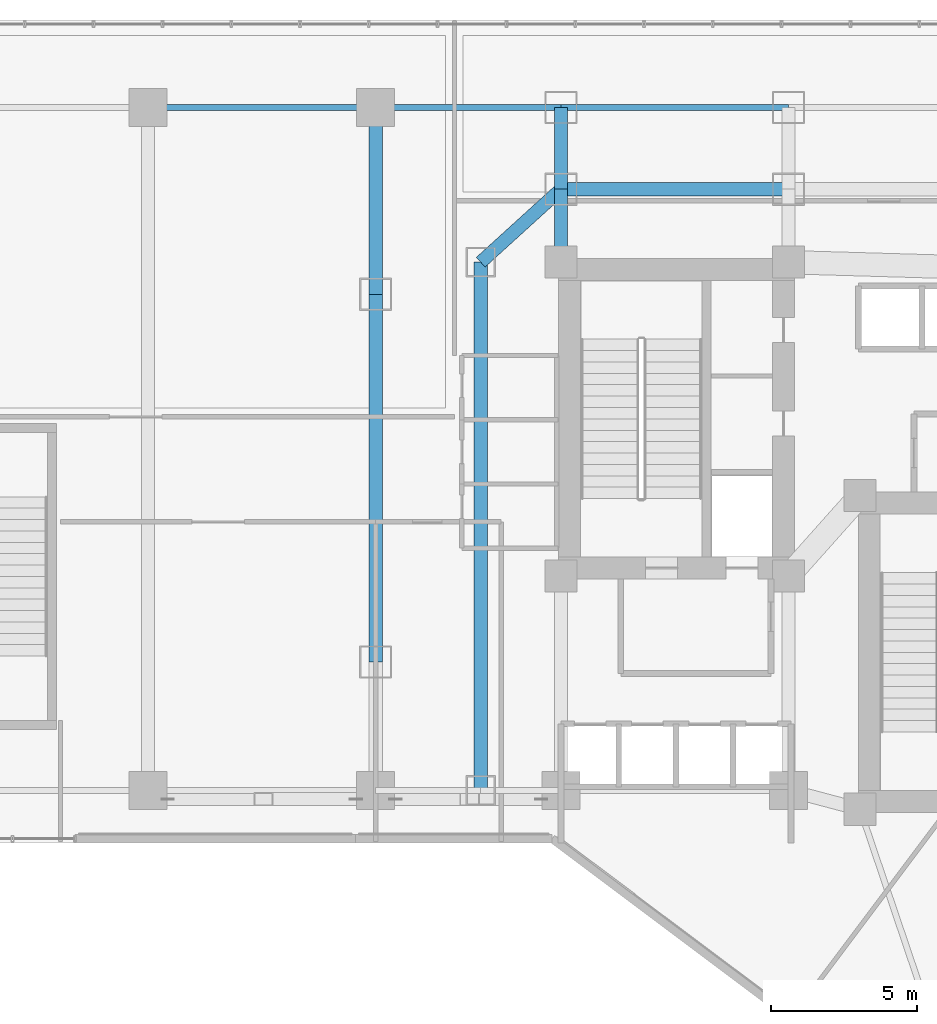
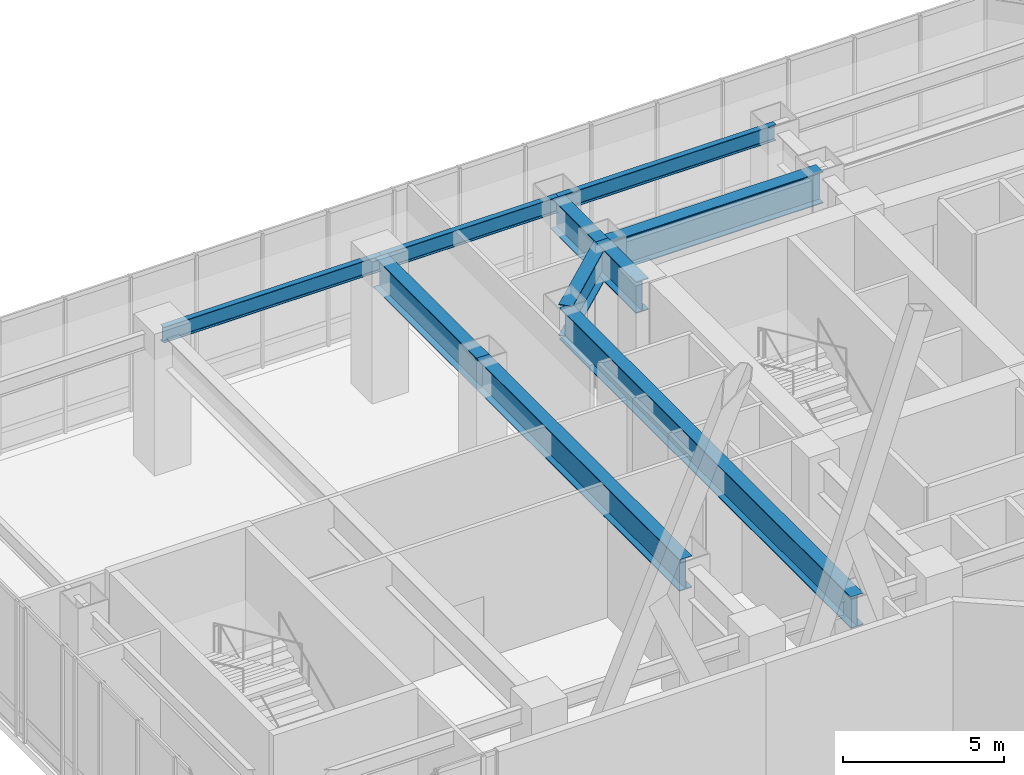
# One storey, part 15 of 35: 10 beams.
"""IFC4 building model written with IfcOpenShell, lengths in metres."""

import ifcopenshell
import ifcopenshell.guid

model = None  # the IFC model being written
_history = None  # IfcOwnerHistory: only IFC2X3 demands one
_inside = {}  # id of a spatial element -> (the spatial element, [elements in it])
_under = {}  # id of a project, library or spatial element -> (it, [spatial elements below it])
_declared = {}  # id of a project -> (the project, [libraries it declares])
_typed = {}  # id of a type object -> (the type object, [elements of that type])
_made_of = {}  # id of a material, layer set ... -> (it, [elements and type objects made of it])


def new_model(schema):
    """Start an empty IFC model of exactly this schema.

    Asked for "IFC4X3", IfcOpenShell would pick the latest addendum, in which some entities
    have other attributes; the version numbers below select the first issue.
    IFC2X3 requires an IfcOwnerHistory on every rooted entity: one is made here for all.
    """
    global model, _history
    if schema == "IFC4X3":
        model = ifcopenshell.file(schema_version=(4, 3, 0, 0))
    else:
        model = ifcopenshell.file(schema=schema)
    _inside.clear()
    _under.clear()
    _declared.clear()
    _typed.clear()
    _made_of.clear()
    _history = None
    if model.schema == "IFC2X3":
        org = make("IfcOrganization", Name="unknown")
        user = make(
            "IfcPersonAndOrganization",
            ThePerson=make("IfcPerson", FamilyName="unknown"),
            TheOrganization=org,
        )
        app = make(
            "IfcApplication",
            ApplicationDeveloper=org,
            Version="unknown",
            ApplicationFullName="unknown",
            ApplicationIdentifier="unknown",
        )
        _history = make(
            "IfcOwnerHistory",
            OwningUser=user,
            OwningApplication=app,
            ChangeAction="ADDED",
            CreationDate=0,
        )
    return model


def make(cls, **values):
    """One entity of the class cls with the attributes given. An attribute that is None is left unset."""
    return model.create_entity(
        cls, **{name: value for name, value in values.items() if value is not None}
    )


def rooted(cls, **values):
    """An entity with a GlobalId (a new one), such as an element, a storey or a relation."""
    return make(cls, GlobalId=ifcopenshell.guid.new(), OwnerHistory=_history, **values)


def si_unit(unit_type, name, prefix=None):
    """IfcSIUnit, for example si_unit("LENGTHUNIT", "METRE", prefix="MILLI")."""
    return make("IfcSIUnit", UnitType=unit_type, Prefix=prefix, Name=name)


def assignment(units):
    """IfcUnitAssignment: the units of a project."""
    return None if units is None else make("IfcUnitAssignment", Units=units)


def point(xyz):
    """IfcCartesianPoint."""
    return None if xyz is None else make("IfcCartesianPoint", Coordinates=xyz)


def direction(xyz):
    """IfcDirection."""
    return None if xyz is None else make("IfcDirection", DirectionRatios=xyz)


def frame(location, z_axis=None, x_axis=None):
    """IfcAxis2Placement3D, a coordinate frame: its origin and axes. An axis left out is left unset."""
    return make(
        "IfcAxis2Placement3D",
        Location=point(location),
        Axis=direction(z_axis),
        RefDirection=direction(x_axis),
    )


def frame_2d(location, x_axis=None):
    """IfcAxis2Placement2D, a coordinate frame in the plane: its origin and x axis."""
    return make(
        "IfcAxis2Placement2D", Location=point(location), RefDirection=direction(x_axis)
    )


def origin():
    """The frame at (0, 0, 0) with its axes left unset."""
    return frame((0.0, 0.0, 0.0))


def origin_2d():
    """The frame at (0, 0) in the plane with its x axis left unset."""
    return frame_2d((0.0, 0.0))


def place(relative_to, where):
    """IfcLocalPlacement: puts the frame where relative to a parent placement (None: the world)."""
    return make(
        "IfcLocalPlacement", PlacementRelTo=relative_to, RelativePlacement=where
    )


def context(
    kind, dimensions, precision=None, world=None, true_north=None, identifier=None
):
    """IfcGeometricRepresentationContext, for example the 3D "Model" context."""
    return make(
        "IfcGeometricRepresentationContext",
        ContextIdentifier=identifier,
        ContextType=kind,
        CoordinateSpaceDimension=dimensions,
        Precision=precision,
        WorldCoordinateSystem=world,
        TrueNorth=true_north,
    )


def subcontext(parent, identifier, kind, view, scale=None):
    """IfcGeometricRepresentationSubContext, for example "Body" below "Model"."""
    return make(
        "IfcGeometricRepresentationSubContext",
        ContextIdentifier=identifier,
        ContextType=kind,
        ParentContext=parent,
        TargetScale=scale,
        TargetView=view,
    )


def project(units=None, contexts=None):
    """IfcProject with its units and contexts."""
    return rooted(
        "IfcProject",
        Name="project",
        RepresentationContexts=contexts,
        UnitsInContext=assignment(units),
    )


def spatial(cls, under=None, at=None, **own):
    """A site, building, storey or space (cls), placed at a placement, below another one or the project."""
    s = rooted(cls, ObjectPlacement=at, **own)
    if under is not None:
        _under.setdefault(under.id(), (under, []))[1].append(s)
    return s


def profile(cls, at=None, kind="AREA", **sizes):
    """A parametric profile (cls). Its sizes go by their IFC names, for example OverallWidth=200.0."""
    return make(cls, ProfileType=kind, Position=at, **sizes)


def i_section(**sizes):
    """IfcIShapeProfileDef."""
    return profile("IfcIShapeProfileDef", **sizes)


def extrude(swept, where, along, depth):
    """IfcExtrudedAreaSolid: the profile swept, set in the frame where, extruded along a direction by depth."""
    return make(
        "IfcExtrudedAreaSolid",
        SweptArea=swept,
        Position=where,
        ExtrudedDirection=direction(along),
        Depth=depth,
    )


def shape(context_of_items, identifier, shape_type, items):
    """IfcShapeRepresentation: the items that make up one representation, for example the "Body"."""
    return make(
        "IfcShapeRepresentation",
        ContextOfItems=context_of_items,
        RepresentationIdentifier=identifier,
        RepresentationType=shape_type,
        Items=items,
    )


def material(Name=None, Category=None):
    """IfcMaterial."""
    return make("IfcMaterial", Name=Name, Category=Category)


def material_profile(
    of_material, cross_section, Name=None, Category=None, Priority=None
):
    """IfcMaterialProfile: a cross section and its material."""
    return make(
        "IfcMaterialProfile",
        Name=Name,
        Material=of_material,
        Profile=cross_section,
        Priority=Priority,
        Category=Category,
    )


def profile_set(profiles, Name=None, composite=None):
    """IfcMaterialProfileSet."""
    return make(
        "IfcMaterialProfileSet",
        Name=Name,
        MaterialProfiles=profiles,
        CompositeProfile=composite,
    )


def made_of(thing, what):
    """Note that an element or type object is made of a material, layer set ...; save() writes the relation."""
    if what is not None:
        _made_of.setdefault(what.id(), (what, []))[1].append(thing)
    return thing


def type_object(cls, material=None, **own):
    """A type object (cls), such as IfcWallType, which elements share."""
    return made_of(rooted(cls, **own), material)


def element(
    cls,
    number,
    at=None,
    inside=None,
    cuts=None,
    type_object=None,
    material=None,
    context=None,
    identifier="Body",
    shape_type=None,
    held_by="IfcProductDefinitionShape",
    body=None,
    shapes=None,
    **own,
):
    """One element of the class cls, such as IfcWall. Its Tag is "e" and its number.

    at: its placement. inside: the storey or other place that contains it. cuts: it is an
    opening in that element (IfcRelVoidsElement). A single representation is given by context,
    identifier, shape_type and body (its items); several are given by shapes. held_by: the class
    of the entity that holds the representations. save() writes the other relations.
    """
    e = rooted(cls, Tag="e%d" % number, ObjectPlacement=at, **own)
    if body is not None:
        shapes = [shape(context, identifier, shape_type, body)]
    if shapes is not None:
        e.Representation = make(held_by, Representations=shapes)
    if inside is not None:
        _inside.setdefault(inside.id(), (inside, []))[1].append(e)
    if cuts is not None:
        rooted(
            "IfcRelVoidsElement", RelatingBuildingElement=cuts, RelatedOpeningElement=e
        )
    if type_object is not None:
        _typed.setdefault(type_object.id(), (type_object, []))[1].append(e)
    return made_of(e, material)


def aggregate(whole, parts):
    """IfcRelAggregates: a whole, such as a stair, and the parts it consists of."""
    return rooted("IfcRelAggregates", RelatingObject=whole, RelatedObjects=parts)


def save(model, path):
    """Write the relations noted so far, then the file.

    IfcRelAggregates (storeys below a building ...), IfcRelContainedInSpatialStructure (elements
    in a storey), IfcRelDefinesByType, IfcRelAssociatesMaterial and IfcRelDeclares: one each for
    every whole, place, type object, material and project.
    """
    for whole, parts in _under.values():
        aggregate(whole, parts)
    for where, things in _inside.values():
        rooted(
            "IfcRelContainedInSpatialStructure",
            RelatedElements=things,
            RelatingStructure=where,
        )
    for kind, things in _typed.values():
        rooted("IfcRelDefinesByType", RelatedObjects=things, RelatingType=kind)
    for what, things in _made_of.values():
        rooted("IfcRelAssociatesMaterial", RelatedObjects=things, RelatingMaterial=what)
    for by, libraries in _declared.values():
        rooted("IfcRelDeclares", RelatingContext=by, RelatedDefinitions=libraries)
    model.write(path)


model = new_model("IFC4")

# Units and contexts
model_context = context("Model", 3, precision=1e-05, world=origin(), true_north=direction((0.0, 1.0)))
body_context = subcontext(model_context, "Body", "Model", "MODEL_VIEW")
ifc_project = project(units=[si_unit("LENGTHUNIT", "METRE"), si_unit("AREAUNIT", "SQUARE_METRE"), si_unit("VOLUMEUNIT", "CUBIC_METRE"), si_unit("PLANEANGLEUNIT", "RADIAN"), si_unit("MASSUNIT", "GRAM", prefix="KILO")], contexts=[model_context])

# Site, building, storey
site_placement = place(None, origin())
site = spatial("IfcSite", under=ifc_project, at=site_placement, CompositionType="ELEMENT")
building_placement = place(site_placement, origin())
building = spatial("IfcBuilding", under=site, at=building_placement, Name="Hatsunagi Terrace Concourse", CompositionType="ELEMENT")
storey_placement = place(building_placement, frame((0.0, 0.0, 5.39990234375)))
storey = spatial("IfcBuildingStorey", under=building, at=storey_placement, Name="L02", CompositionType="ELEMENT", Elevation=5.39990234375)

# Beams
ifc_material_1 = material(Name="Steel SN490B", Category="steel")
ifc_material_profile_1 = material_profile(ifc_material_1, i_section(OverallWidth=0.199951171875, OverallDepth=0.60009765625, WebThickness=0.010986328125, FlangeThickness=0.01708984375, FilletRadius=0.01806640625, at=origin_2d()), Name="H-600x200x11x17")
ifc_profile_set_1 = profile_set([ifc_material_profile_1], Name="Steel SN490B")
beam_type_1 = type_object("IfcBeamType", Name="PerimeterSpandrel_H_600x200", PredefinedType="SPANDREL", material=ifc_profile_set_1)
beam_1_placement = place(storey_placement, frame((11.39990234375, 48.60009765625, 4.800048828125), z_axis=(1.0, 0.0, 0.0), x_axis=(0.0, 1.0, 0.0)))
element("IfcBeam", 1, at=beam_1_placement, inside=storey, type_object=beam_type_1, Name="Beam SP-01 BM-L02-WN-11", PredefinedType="SPANDREL", context=body_context, shape_type="SweptSolid", body=[
    extrude(i_section(OverallWidth=0.199951171875, OverallDepth=0.60009765625, WebThickness=0.010986328125, FlangeThickness=0.01708984375, FilletRadius=0.01806640625, at=origin_2d()), origin(), (0.0, 0.0, 1.0), 7.800048828125),
])
beam_2_placement = place(storey_placement, frame((19.199951171875, 48.60009765625, 4.800048828125), z_axis=(1.0, 0.0, 0.0), x_axis=(0.0, 1.0, 0.0)))
element("IfcBeam", 2, at=beam_2_placement, inside=storey, type_object=beam_type_1, Name="Beam SP-01 BM-L02-WN-19", PredefinedType="SPANDREL", context=body_context, shape_type="SweptSolid", body=[
    extrude(i_section(OverallWidth=0.199951171875, OverallDepth=0.60009765625, WebThickness=0.010986328125, FlangeThickness=0.01708984375, FilletRadius=0.01806640625, at=origin_2d()), origin(), (0.0, 0.0, 1.0), 6.35009765625),
])
beam_3_placement = place(storey_placement, frame((25.550048828125, 48.60009765625, 4.800048828125), z_axis=(1.0, 0.0, 0.0), x_axis=(0.0, 1.0, 0.0)))
element("IfcBeam", 3, at=beam_3_placement, inside=storey, type_object=beam_type_1, Name="Beam SP-01 BM-L02-WN-25", PredefinedType="SPANDREL", context=body_context, shape_type="SweptSolid", body=[
    extrude(i_section(OverallWidth=0.199951171875, OverallDepth=0.60009765625, WebThickness=0.010986328125, FlangeThickness=0.01708984375, FilletRadius=0.01806640625, at=origin_2d()), origin(), (0.0, 0.0, 1.0), 7.800048828125),
])
ifc_material_2 = material(Name="Steel SN490B", Category="steel")
ifc_material_profile_2 = material_profile(ifc_material_2, i_section(OverallWidth=0.449951171875, OverallDepth=1.199951171875, WebThickness=0.02490234375, FlangeThickness=0.035888671875, at=origin_2d()), Name="BH-1200x450x25x36")
ifc_profile_set_2 = profile_set([ifc_material_profile_2], Name="Steel SN490B")
beam_type_2 = type_object("IfcBeamType", Name="PodiumHallGirder_BH_1200x450x25x36", PredefinedType="BEAM", material=ifc_profile_set_2)
beam_4_placement = place(storey_placement, frame((25.550048828125, 43.300048828125, 4.5), z_axis=(0.0, 1.0, 0.0), x_axis=(-1.0, 0.0, 0.0)))
element("IfcBeam", 4, at=beam_4_placement, inside=storey, type_object=beam_type_2, Name="Beam G-01 BM-L02-CN1", PredefinedType="BEAM", context=body_context, shape_type="SweptSolid", body=[
    extrude(i_section(OverallWidth=0.449951171875, OverallDepth=1.199951171875, WebThickness=0.02490234375, FlangeThickness=0.035888671875, at=origin_2d()), origin(), (0.0, 0.0, 1.0), 2.5),
])
beam_5_placement = place(storey_placement, frame((25.550048828125, 45.800048828125, 4.5), z_axis=(1.0, 0.0, 0.0), x_axis=(0.0, 1.0, 0.0)))
element("IfcBeam", 5, at=beam_5_placement, inside=storey, type_object=beam_type_2, Name="Beam G-01 BM-L02-CNEW1", PredefinedType="BEAM", context=body_context, shape_type="SweptSolid", body=[
    extrude(i_section(OverallWidth=0.449951171875, OverallDepth=1.199951171875, WebThickness=0.02490234375, FlangeThickness=0.035888671875, at=origin_2d()), origin(), (0.0, 0.0, 1.0), 7.800048828125),
])
beam_6_placement = place(storey_placement, frame((25.550048828125, 45.800048828125, 4.5), z_axis=(0.0, 1.0, 0.0), x_axis=(-1.0, 0.0, 0.0)))
element("IfcBeam", 6, at=beam_6_placement, inside=storey, type_object=beam_type_2, Name="Beam G-01 BM-L02-KN-WN4", PredefinedType="BEAM", context=body_context, shape_type="SweptSolid", body=[
    extrude(i_section(OverallWidth=0.449951171875, OverallDepth=1.199951171875, WebThickness=0.02490234375, FlangeThickness=0.035888671875, at=origin_2d()), origin(), (0.0, 0.0, 1.0), 2.800048828125),
])
beam_7_placement = place(storey_placement, frame((22.800048828125, 25.199951171875, 4.5), z_axis=(0.0, 1.0, 0.0), x_axis=(-1.0, 0.0, 0.0)))
element("IfcBeam", 7, at=beam_7_placement, inside=storey, type_object=beam_type_2, Name="Beam G-01 BM-L02-CWNS", PredefinedType="BEAM", context=body_context, shape_type="SweptSolid", body=[
    extrude(i_section(OverallWidth=0.449951171875, OverallDepth=1.199951171875, WebThickness=0.02490234375, FlangeThickness=0.035888671875, at=origin_2d()), origin(), (0.0, 0.0, 1.0), 18.10009765625),
])
beam_8_placement = place(storey_placement, frame((22.800048828125, 43.300048828125, 4.5), z_axis=(0.739940073396, 0.672672793996, 0.0), x_axis=(-0.672672793996, 0.739940073396, 0.0)))
element("IfcBeam", 8, at=beam_8_placement, inside=storey, type_object=beam_type_2, Name="Beam G-01 BM-L02-CWEW-N", PredefinedType="BEAM", context=body_context, shape_type="SweptSolid", body=[
    extrude(i_section(OverallWidth=0.449951171875, OverallDepth=1.199951171875, WebThickness=0.02490234375, FlangeThickness=0.035888671875, at=origin_2d()), origin(), (0.0, 0.0, 1.0), 3.716552734375),
])
beam_9_placement = place(storey_placement, frame((19.199951171875, 29.60009765625, 4.5), z_axis=(0.0, 1.0, 0.0), x_axis=(-1.0, 0.0, 0.0)))
element("IfcBeam", 9, at=beam_9_placement, inside=storey, type_object=beam_type_2, Name="Beam G-01 BM-L02-NS-19-29", PredefinedType="BEAM", context=body_context, shape_type="SweptSolid", body=[
    extrude(i_section(OverallWidth=0.449951171875, OverallDepth=1.199951171875, WebThickness=0.02490234375, FlangeThickness=0.035888671875, at=origin_2d()), origin(), (0.0, 0.0, 1.0), 12.599853515625),
])
beam_10_placement = place(storey_placement, frame((19.199951171875, 42.199951171875, 4.5), z_axis=(0.0, 1.0, 0.0), x_axis=(-1.0, 0.0, 0.0)))
element("IfcBeam", 10, at=beam_10_placement, inside=storey, type_object=beam_type_2, Name="Beam G-01 BM-L02-NS-19-42", PredefinedType="BEAM", context=body_context, shape_type="SweptSolid", body=[
    extrude(i_section(OverallWidth=0.449951171875, OverallDepth=1.199951171875, WebThickness=0.02490234375, FlangeThickness=0.035888671875, at=origin_2d()), origin(), (0.0, 0.0, 1.0), 6.400146484375),
])

save(model, "model.ifc")
